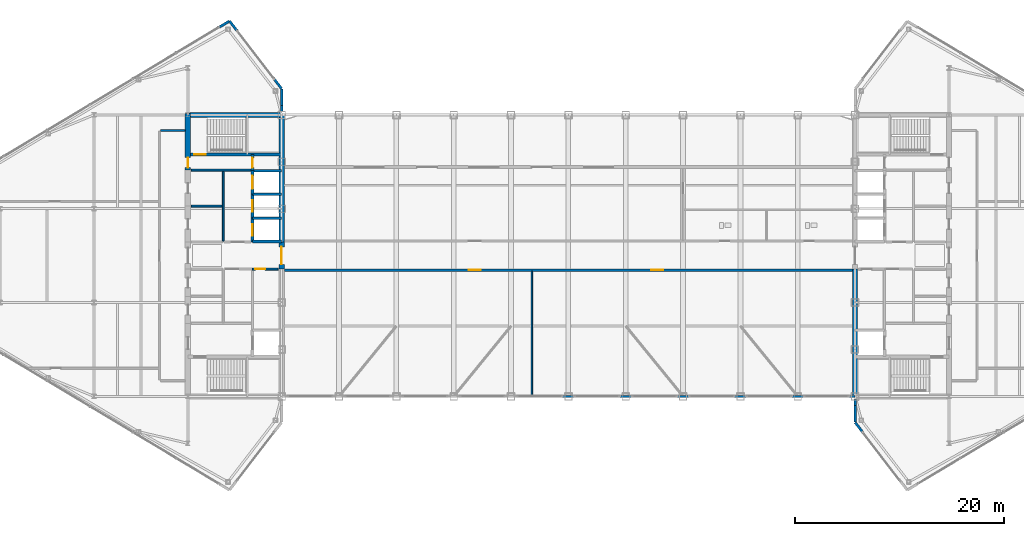
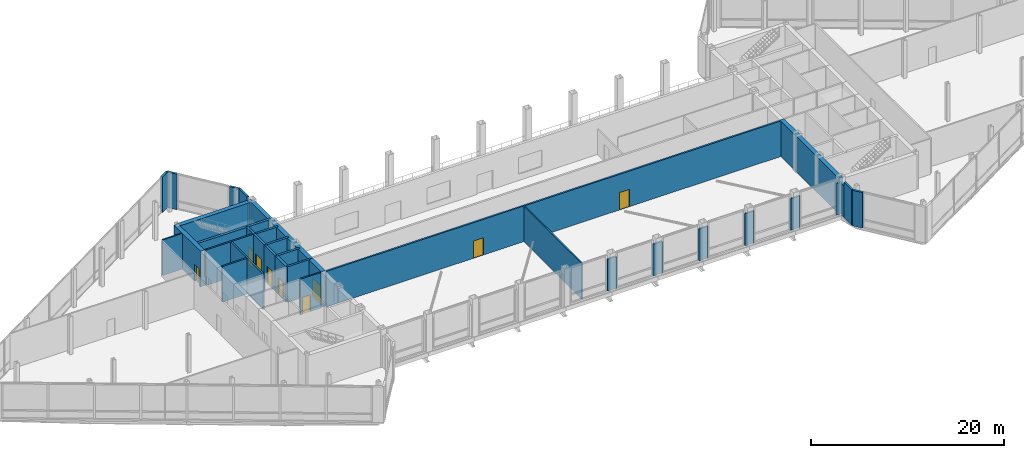
# One storey, part 22 of 28: 35 walls, 10 doors, 10 openings.
"""IFC4 building model written with IfcOpenShell, lengths in metres."""

from ifc_helpers import new_model, si_unit, direction, frame, frame_2d, origin, place, context, subcontext, project, spatial, rectangle, extrude, source, transform, mapped, material, layer, layer_set, type_object, type_shapes, element, fill, save


model = new_model("IFC4")

# Units and contexts
model_context = context("Model", 3, precision=1e-05, world=origin(), true_north=direction((0.0, 1.0)))
body_context = subcontext(model_context, "Body", "Model", "MODEL_VIEW")
ifc_project = project(units=[si_unit("LENGTHUNIT", "METRE"), si_unit("AREAUNIT", "SQUARE_METRE"), si_unit("VOLUMEUNIT", "CUBIC_METRE"), si_unit("PLANEANGLEUNIT", "RADIAN"), si_unit("MASSUNIT", "GRAM", prefix="KILO")], contexts=[model_context])

# Site, building, storey
site_placement = place(None, origin())
site = spatial("IfcSite", under=ifc_project, at=site_placement, CompositionType="ELEMENT")
building_placement = place(site_placement, origin())
building = spatial("IfcBuilding", under=site, at=building_placement, Name="Seokmaru Belvedere", CompositionType="ELEMENT")
storey_placement = place(building_placement, frame((0.0, 0.0, 274.199951171875)))
storey = spatial("IfcBuildingStorey", under=building, at=storey_placement, Name="L72", CompositionType="ELEMENT", Elevation=274.199951171875)

# Walls
ifc_material_1 = material(Name="Fire-Rated Gypsum Shaftwall")
ifc_layer_1 = layer(ifc_material_1, 0.14990234375)
ifc_layer_set_1 = layer_set([ifc_layer_1], Name="Fire-Rated Gypsum Shaftwall")
wall_type_1 = type_object("IfcWallType", Name="Apartment Fire-Acoustic Room Partition 150", PredefinedType="PARTITIONING", material=ifc_layer_set_1)
wall_1_placement = place(storey_placement, frame((-39.114990234375, 12.0, 0.0), z_axis=(0.0, 0.0, 1.0), x_axis=(1.0, 0.0, 0.0)))
element("IfcWall", 1, at=wall_1_placement, inside=storey, type_object=wall_type_1, Name="L72 Interior Partition 010", PredefinedType="PARTITIONING", context=body_context, shape_type="SweptSolid", body=[
    extrude(rectangle(XDim=2.360107421875, YDim=0.14990234375, at=frame_2d((1.18017578125, 0.0))), origin(), (0.0, 0.0, 1.0), 4.52001953125),
])
wall_2_placement = place(storey_placement, frame((-3.5, -13.5, 0.0), z_axis=(0.0, 0.0, 1.0), x_axis=(0.0, 1.0, 0.0)))
element("IfcWall", 2, at=wall_2_placement, inside=storey, type_object=wall_type_1, Name="L72 Interior Partition 013", PredefinedType="PARTITIONING", context=body_context, shape_type="SweptSolid", body=[
    extrude(rectangle(XDim=12.014892578125, YDim=0.14990234375, at=frame_2d((6.00732421875, 0.0))), origin(), (0.0, 0.0, 1.0), 4.52001953125),
])
ifc_material_2 = material(Name="Anodised Bronze Aluminium", Category="aluminium")
ifc_layer_2 = layer(ifc_material_2, 0.2099609375)
ifc_layer_set_2 = layer_set([ifc_layer_2], Name="Anodised Bronze Aluminium")
wall_type_2 = type_object("IfcWallType", Name="Bridge Column Spandrel Closure Pier 210", PredefinedType="SOLIDWALL", material=ifc_layer_set_2)
for number, where, z_axis, x_axis, name in (
    (3, (-0.550048828125, -13.5, 0.0), (0.0, 0.0, 1.0), (1.0, 0.0, 0.0), "L72 Bridge South Column Closure Pier 06"),
    (4, (4.949951171875, -13.5, 0.0), (0.0, 0.0, 1.0), (1.0, 0.0, 0.0), "L72 Bridge South Column Closure Pier 07"),
    (5, (10.449951171875, -13.5, 0.0), (0.0, 0.0, 1.0), (1.0, 0.0, 0.0), "L72 Bridge South Column Closure Pier 08"),
    (6, (15.949951171875, -13.5, 0.0), (0.0, 0.0, 1.0), (1.0, 0.0, 0.0), "L72 Bridge South Column Closure Pier 09"),
    (7, (21.449951171875, -13.5, 0.0), (0.0, 0.0, 1.0), (1.0, 0.0, 0.0), "L72 Bridge South Column Closure Pier 10"),
):
    element("IfcWall", number, at=place(storey_placement, frame(where, z_axis=z_axis, x_axis=x_axis)), inside=storey, type_object=wall_type_2, Name=name, PredefinedType="SOLIDWALL", context=body_context, shape_type="SweptSolid", body=[
        extrude(rectangle(XDim=1.10009765625, YDim=0.2099609375, at=frame_2d((0.550048828125, 0.0))), origin(), (0.0, 0.0, 1.0), 4.02001953125),
    ])
wall_3_placement = place(storey_placement, frame((26.949951171875, -13.5, 0.0), z_axis=(0.0, 0.0, 1.0), x_axis=(1.0, 0.0, 0.0)))
element("IfcWall", 8, at=wall_3_placement, inside=storey, type_object=wall_type_2, Name="L72 Bridge South Column Closure Pier 11", PredefinedType="SOLIDWALL", context=body_context, shape_type="SweptSolid", body=[
    extrude(rectangle(XDim=0.5400390625, YDim=0.2099609375, at=frame_2d((0.27001953125, 0.0))), origin(), (0.0, 0.0, 1.0), 4.02001953125),
])
ifc_layer_3 = layer(ifc_material_1, 0.179931640625)
ifc_layer_set_3 = layer_set([ifc_layer_3], Name="Fire-Rated Gypsum Shaftwall")
wall_type_3 = type_object("IfcWallType", Name="Core Service Fire Partition 180", PredefinedType="PARTITIONING", material=ifc_layer_set_3)
wall_4_placement = place(storey_placement, frame((-36.14990234375, 8.199951171875, 0.0), z_axis=(0.0, 0.0, 1.0), x_axis=(1.0, 0.0, 0.0)))
element("IfcWall", 9, at=wall_4_placement, inside=storey, type_object=wall_type_3, Name="L72 West Smokeproof Vestibule Partition", PredefinedType="PARTITIONING", context=body_context, shape_type="SweptSolid", body=[
    extrude(rectangle(XDim=5.699951171875, YDim=0.179931640625, at=frame_2d((2.85009765625, 0.0))), origin(), (0.0, 0.0, 1.0), 4.52001953125),
])
wall_5_placement = place(storey_placement, frame((-33.10009765625, 1.3798828125, 0.0), z_axis=(0.0, 0.0, 1.0), x_axis=(0.0, 1.0, 0.0)))
element("IfcWall", 10, at=wall_5_placement, inside=storey, type_object=wall_type_3, Name="L72 West North Core Service Back Wall", PredefinedType="PARTITIONING", context=body_context, shape_type="SweptSolid", body=[
    extrude(rectangle(XDim=6.740234375, YDim=0.179931640625, at=frame_2d((3.3701171875, 0.0))), origin(), (0.0, 0.0, 1.0), 4.52001953125),
])

# Wall, opening, door
wall_6_placement = place(storey_placement, frame((-30.300048828125, -1.300048828125, 0.0), z_axis=(0.0, 0.0, 1.0), x_axis=(1.0, 0.0, 0.0)))
wall_6 = element("IfcWall", 11, at=wall_6_placement, inside=storey, type_object=wall_type_3, Name="L72 West South Parcel Vault Foyer Wall", PredefinedType="PARTITIONING", context=body_context, shape_type="SweptSolid", body=[
    extrude(rectangle(XDim=2.449951171875, YDim=0.179931640625, at=frame_2d((1.22509765625, 0.0))), origin(), (0.0, 0.0, 1.0), 4.52001953125),
])
opening_1_placement = place(wall_6_placement, frame((0.27490234375, 0.0, 0.0)))
opening_1 = element("IfcOpeningElement", 12, at=opening_1_placement, cuts=wall_6, Name="Opening D04", PredefinedType="OPENING", context=body_context, shape_type="SweptSolid", body=[
    extrude(rectangle(XDim=0.949951171875, YDim=2.14990234375, at=frame_2d((0.47509765625, 1.074951171875))), frame((0.0, 0.10009765625, 0.0), z_axis=(0.0, -1.0, 0.0), x_axis=(1.0, 0.0, 0.0)), (0.0, 0.0, 1.0), 0.199951171875),
])
ifc_material_3 = material(Name="Fire-Rated Steel Leaf", Category="steel")
door_type_1 = type_object("IfcDoorType", Name="Core Service Room Fire Door 950x2150", OperationType="NOTDEFINED", PredefinedType="DOOR", material=ifc_material_3)
shared_shape_1 = source(origin(), body_context, "Body", "SweptSolid", [
    extrude(rectangle(XDim=0.949951171875, YDim=2.14990234375, at=frame_2d((0.47509765625, 1.074951171875))), frame((0.0, 0.02490234375, 0.0), z_axis=(0.0, -1.0, 0.0), x_axis=(1.0, 0.0, 0.0)), (0.0, 0.0, 1.0), 0.050048828125),
])
type_shapes(door_type_1, [shared_shape_1])
door_1_placement = place(opening_1_placement, origin())
door_1 = element("IfcDoor", 13, at=door_1_placement, inside=storey, type_object=door_type_1, Name="L72 West South Parcel Vault Door", OperationType="SINGLE_SWING_LEFT", OverallHeight=2.14990234375, OverallWidth=0.949951171875, PredefinedType="DOOR", context=body_context, shape_type="MappedRepresentation", body=[
    mapped(shared_shape_1, transform((0.0, 0.0, 0.0), scale=1.0)),
])
fill(opening_1, door_1)

# Walls
wall_7_placement = place(storey_placement, frame((-36.14990234375, 4.75, 0.0), z_axis=(0.0, 0.0, 1.0), x_axis=(1.0, 0.0, 0.0)))
element("IfcWall", 14, at=wall_7_placement, inside=storey, type_object=wall_type_3, Name="L72 West Core Service Partition 2", PredefinedType="PARTITIONING", context=body_context, shape_type="SweptSolid", body=[
    extrude(rectangle(XDim=2.949951171875, YDim=0.179931640625, at=frame_2d((1.47509765625, 0.0))), origin(), (0.0, 0.0, 1.0), 4.52001953125),
])
ifc_material_4 = material(Name="Concrete C50 (50 MPa)", Category="concrete")
ifc_layer_4 = layer(ifc_material_4, 0.25)
ifc_layer_set_4 = layer_set([ifc_layer_4], Name="Concrete C50 (50 MPa)")
wall_type_4 = type_object("IfcWallType", Name="Hoistway Transverse Concrete Divider Wall 250", PredefinedType="SHEAR", material=ifc_layer_set_4)
for number, where, z_axis, x_axis, name in (
    (15, (-30.300048828125, 1.35009765625, 0.0), (0.0, 0.0, 1.0), (1.0, 0.0, 0.0), "L72 West Hoistway Divider Core Wall 2"),
    (16, (-30.300048828125, 3.60009765625, 0.0), (0.0, 0.0, 1.0), (1.0, 0.0, 0.0), "L72 West Hoistway Divider Core Wall 3"),
    (17, (-30.300048828125, 5.89990234375, 0.0), (0.0, 0.0, 1.0), (1.0, 0.0, 0.0), "L72 West Hoistway Divider Core Wall 4"),
    (18, (-30.300048828125, 8.14990234375, 0.0), (0.0, 0.0, 1.0), (1.0, 0.0, 0.0), "L72 West Hoistway Divider Core Wall 5"),
):
    element("IfcWall", number, at=place(storey_placement, frame(where, z_axis=z_axis, x_axis=x_axis)), inside=storey, type_object=wall_type_4, Name=name, PredefinedType="SHEAR", context=body_context, shape_type="SweptSolid", body=[
        extrude(rectangle(XDim=2.800048828125, YDim=0.25, at=frame_2d((1.39990234375, 0.0))), origin(), (0.0, 0.0, 1.0), 4.52001953125),
    ])

# Wall, openings, doors
ifc_layer_5 = layer(ifc_material_1, 0.199951171875)
ifc_layer_set_5 = layer_set([ifc_layer_5], Name="Fire-Rated Gypsum Shaftwall")
wall_type_5 = type_object("IfcWallType", Name="Inter-Tenancy Fire Compartment Partition 200", PredefinedType="PARTITIONING", material=ifc_layer_set_5)
wall_8_placement = place(storey_placement, frame((-27.2451171875, -1.39990234375, 0.0), z_axis=(0.0, 0.0, 1.0), x_axis=(1.0, 0.0, 0.0)))
wall_8 = element("IfcWall", 19, at=wall_8_placement, inside=storey, type_object=wall_type_5, Name="L72 Interior Partition 005", PredefinedType="PARTITIONING", context=body_context, shape_type="SweptSolid", body=[
    extrude(rectangle(XDim=54.490234375, YDim=0.199951171875, at=frame_2d((27.2451171875, 0.0))), origin(), (0.0, 0.0, 1.0), 4.52001953125),
])
opening_2_placement = place(wall_8_placement, frame((17.669921875, 0.0, 0.0)))
opening_2 = element("IfcOpeningElement", 20, at=opening_2_placement, cuts=wall_8, Name="Opening D02", PredefinedType="OPENING", context=body_context, shape_type="SweptSolid", body=[
    extrude(rectangle(XDim=1.14990234375, YDim=2.199951171875, at=frame_2d((0.574951171875, 1.10009765625))), frame((0.0, 0.10986328125, 0.0), z_axis=(0.0, -1.0, 0.0), x_axis=(1.0, 0.0, 0.0)), (0.0, 0.0, 1.0), 0.219970703125),
])
opening_3_placement = place(wall_8_placement, frame((35.169921875, 0.0, 0.0)))
opening_3 = element("IfcOpeningElement", 21, at=opening_3_placement, cuts=wall_8, Name="Opening D02", PredefinedType="OPENING", context=body_context, shape_type="SweptSolid", body=[
    extrude(rectangle(XDim=1.14990234375, YDim=2.199951171875, at=frame_2d((0.574951171875, 1.10009765625))), frame((0.0, 0.10986328125, 0.0), z_axis=(0.0, -1.0, 0.0), x_axis=(1.0, 0.0, 0.0)), (0.0, 0.0, 1.0), 0.219970703125),
])
door_type_2 = type_object("IfcDoorType", Name="Lobby and Vestibule Fire Door 1150x2200", OperationType="NOTDEFINED", PredefinedType="DOOR", material=ifc_material_3)
shared_shape_2 = source(origin(), body_context, "Body", "SweptSolid", [
    extrude(rectangle(XDim=1.14990234375, YDim=2.199951171875, at=frame_2d((0.574951171875, 1.10009765625))), frame((0.0, 0.02490234375, 0.0), z_axis=(0.0, -1.0, 0.0), x_axis=(1.0, 0.0, 0.0)), (0.0, 0.0, 1.0), 0.050048828125),
])
type_shapes(door_type_2, [shared_shape_2])
door_2_placement = place(opening_2_placement, origin())
door_2 = element("IfcDoor", 22, at=door_2_placement, inside=storey, type_object=door_type_2, Name="L72 Interior Door 007", OperationType="SINGLE_SWING_LEFT", OverallHeight=2.199951171875, OverallWidth=1.14990234375, PredefinedType="DOOR", context=body_context, shape_type="MappedRepresentation", body=[
    mapped(shared_shape_2, transform((0.0, 0.0, 0.0), scale=1.0)),
])
fill(opening_2, door_2)
door_3_placement = place(opening_3_placement, origin())
door_3 = element("IfcDoor", 23, at=door_3_placement, inside=storey, type_object=door_type_2, Name="L72 Interior Door 008", OperationType="SINGLE_SWING_RIGHT", OverallHeight=2.199951171875, OverallWidth=1.14990234375, PredefinedType="DOOR", context=body_context, shape_type="MappedRepresentation", body=[
    mapped(shared_shape_2, transform((0.0, 0.0, 0.0), scale=1.0)),
])
fill(opening_3, door_3)

# Wall, opening, door
ifc_layer_6 = layer(ifc_material_4, 0.300048828125)
ifc_layer_set_6 = layer_set([ifc_layer_6], Name="Concrete C50 (50 MPa)")
wall_type_6 = type_object("IfcWallType", Name="Internal Core Stair and Hoistway Wall 300", PredefinedType="SHEAR", material=ifc_layer_set_6)
wall_9_placement = place(storey_placement, frame((-36.5, 9.699951171875, 0.0), z_axis=(0.0, 0.0, 1.0), x_axis=(1.0, 0.0, 0.0)))
wall_9 = element("IfcWall", 24, at=wall_9_placement, inside=storey, type_object=wall_type_6, Name="L72 West Stair ST-2 Enclosure Wall", PredefinedType="SHEAR", context=body_context, shape_type="SweptSolid", body=[
    extrude(rectangle(XDim=9.0, YDim=0.300048828125, at=frame_2d((4.5, 0.0))), origin(), (0.0, 0.0, 1.0), 4.52001953125),
])
opening_4_placement = place(wall_9_placement, frame((0.60009765625, 0.0, 0.0)))
opening_4 = element("IfcOpeningElement", 25, at=opening_4_placement, cuts=wall_9, Name="Opening D01", PredefinedType="OPENING", context=body_context, shape_type="SweptSolid", body=[
    extrude(rectangle(XDim=1.10009765625, YDim=2.199951171875, at=frame_2d((0.550048828125, 1.10009765625))), frame((0.0, 0.16015625, 0.0), z_axis=(0.0, -1.0, 0.0), x_axis=(1.0, 0.0, 0.0)), (0.0, 0.0, 1.0), 0.320068359375),
])
door_type_3 = type_object("IfcDoorType", Name="Special Escape Stair Smokeproof Fire Door 1100x2200", OperationType="NOTDEFINED", PredefinedType="DOOR", material=ifc_material_3)
shared_shape_3 = source(origin(), body_context, "Body", "SweptSolid", [
    extrude(rectangle(XDim=1.10009765625, YDim=2.199951171875, at=frame_2d((0.550048828125, 1.10009765625))), frame((0.0, 0.02490234375, 0.0), z_axis=(0.0, -1.0, 0.0), x_axis=(1.0, 0.0, 0.0)), (0.0, 0.0, 1.0), 0.050048828125),
])
type_shapes(door_type_3, [shared_shape_3])
door_4_placement = place(opening_4_placement, origin())
door_4 = element("IfcDoor", 26, at=door_4_placement, inside=storey, type_object=door_type_3, Name="L72 West Special Escape Stair ST-2 Door", OperationType="SINGLE_SWING_RIGHT", OverallHeight=2.199951171875, OverallWidth=1.10009765625, PredefinedType="DOOR", context=body_context, shape_type="MappedRepresentation", body=[
    mapped(shared_shape_3, transform((0.0, 0.0, 0.0), scale=1.0)),
])
fill(opening_4, door_4)

wall_10_placement = place(storey_placement, frame((-30.300048828125, 1.320068359375, 0.0), z_axis=(0.0, 0.0, 1.0), x_axis=(0.0, 1.0, 0.0)))
wall_10 = element("IfcWall", 27, at=wall_10_placement, inside=storey, type_object=wall_type_6, Name="L72 West North Hoistway Wall PH1", PredefinedType="SHEAR", context=body_context, shape_type="SweptSolid", body=[
    extrude(rectangle(XDim=2.280029296875, YDim=0.300048828125, at=frame_2d((1.14013671875, 0.0))), origin(), (0.0, 0.0, 1.0), 4.52001953125),
])
opening_5_placement = place(wall_10_placement, frame((0.590087890625, 0.0, 0.0)))
opening_5 = element("IfcOpeningElement", 28, at=opening_5_placement, cuts=wall_10, Name="Opening LD1", PredefinedType="OPENING", context=body_context, shape_type="SweptSolid", body=[
    extrude(rectangle(XDim=1.10009765625, YDim=2.199951171875, at=frame_2d((0.550048828125, 1.10009765625))), frame((0.0, 0.16015625, 0.0), z_axis=(0.0, -1.0, 0.0), x_axis=(1.0, 0.0, 0.0)), (0.0, 0.0, 1.0), 0.320068359375),
])
ifc_material_5 = material(Name="Stainless Steel 316", Category="steel")
door_type_4 = type_object("IfcDoorType", Name="Passenger Lift Sliding Landing Door 1100x2200", OperationType="DOUBLE_DOOR_SLIDING", PredefinedType="DOOR", material=ifc_material_5)
shared_shape_4 = source(origin(), body_context, "Body", "SweptSolid", [
    extrude(rectangle(XDim=1.10009765625, YDim=2.199951171875, at=frame_2d((0.550048828125, 1.10009765625))), frame((0.0, 0.02490234375, 0.0), z_axis=(0.0, -1.0, 0.0), x_axis=(1.0, 0.0, 0.0)), (0.0, 0.0, 1.0), 0.050048828125),
])
type_shapes(door_type_4, [shared_shape_4])
door_5_placement = place(opening_5_placement, origin())
door_5 = element("IfcDoor", 29, at=door_5_placement, inside=storey, type_object=door_type_4, Name="L72 West High-Rise Lift PH-1 Landing Door", OperationType="DOUBLE_DOOR_SLIDING", OverallHeight=2.199951171875, OverallWidth=1.10009765625, PredefinedType="DOOR", context=body_context, shape_type="MappedRepresentation", body=[
    mapped(shared_shape_4, transform((0.0, 0.0, 0.0), scale=1.0)),
])
fill(opening_5, door_5)

wall_11_placement = place(storey_placement, frame((-30.300048828125, 3.60009765625, 0.0), z_axis=(0.0, 0.0, 1.0), x_axis=(0.0, 1.0, 0.0)))
wall_11 = element("IfcWall", 30, at=wall_11_placement, inside=storey, type_object=wall_type_6, Name="L72 West North Hoistway Wall PH2", PredefinedType="SHEAR", context=body_context, shape_type="SweptSolid", body=[
    extrude(rectangle(XDim=2.2998046875, YDim=0.300048828125, at=frame_2d((1.14990234375, 0.0))), origin(), (0.0, 0.0, 1.0), 4.52001953125),
])
opening_6_placement = place(wall_11_placement, frame((0.60009765625, 0.0, 0.0)))
opening_6 = element("IfcOpeningElement", 31, at=opening_6_placement, cuts=wall_11, Name="Opening LD1", PredefinedType="OPENING", context=body_context, shape_type="SweptSolid", body=[
    extrude(rectangle(XDim=1.10009765625, YDim=2.199951171875, at=frame_2d((0.550048828125, 1.10009765625))), frame((0.0, 0.16015625, 0.0), z_axis=(0.0, -1.0, 0.0), x_axis=(1.0, 0.0, 0.0)), (0.0, 0.0, 1.0), 0.320068359375),
])
door_6_placement = place(opening_6_placement, origin())
door_6 = element("IfcDoor", 32, at=door_6_placement, inside=storey, type_object=door_type_4, Name="L72 West High-Rise Lift PH-2 Landing Door", OperationType="DOUBLE_DOOR_SLIDING", OverallHeight=2.199951171875, OverallWidth=1.10009765625, PredefinedType="DOOR", context=body_context, shape_type="MappedRepresentation", body=[
    mapped(shared_shape_4, transform((0.0, 0.0, 0.0), scale=1.0)),
])
fill(opening_6, door_6)

wall_12_placement = place(storey_placement, frame((-30.300048828125, 5.89990234375, 0.0), z_axis=(0.0, 0.0, 1.0), x_axis=(0.0, 1.0, 0.0)))
wall_12 = element("IfcWall", 33, at=wall_12_placement, inside=storey, type_object=wall_type_6, Name="L72 West North Hoistway Wall OBS", PredefinedType="SHEAR", context=body_context, shape_type="SweptSolid", body=[
    extrude(rectangle(XDim=2.25, YDim=0.300048828125, at=frame_2d((1.125, 0.0))), origin(), (0.0, 0.0, 1.0), 4.52001953125),
])
opening_7_placement = place(wall_12_placement, frame((0.4951171875, 0.0, 0.0)))
opening_7 = element("IfcOpeningElement", 34, at=opening_7_placement, cuts=wall_12, Name="Opening LD3", PredefinedType="OPENING", context=body_context, shape_type="SweptSolid", body=[
    extrude(rectangle(XDim=1.25, YDim=2.300048828125, at=frame_2d((0.625, 1.14990234375))), frame((0.0, 0.16015625, 0.0), z_axis=(0.0, -1.0, 0.0), x_axis=(1.0, 0.0, 0.0)), (0.0, 0.0, 1.0), 0.320068359375),
])
door_type_5 = type_object("IfcDoorType", Name="Observatory Shuttle Sliding Landing Door 1250x2300", OperationType="DOUBLE_DOOR_SLIDING", PredefinedType="DOOR", material=ifc_material_5)
shared_shape_5 = source(origin(), body_context, "Body", "SweptSolid", [
    extrude(rectangle(XDim=1.25, YDim=2.300048828125, at=frame_2d((0.625, 1.14990234375))), frame((0.0, 0.02490234375, 0.0), z_axis=(0.0, -1.0, 0.0), x_axis=(1.0, 0.0, 0.0)), (0.0, 0.0, 1.0), 0.050048828125),
])
type_shapes(door_type_5, [shared_shape_5])
door_7_placement = place(opening_7_placement, origin())
door_7 = element("IfcDoor", 35, at=door_7_placement, inside=storey, type_object=door_type_5, Name="L72 West Express Observatory Lift Landing Door", OperationType="DOUBLE_DOOR_SLIDING", OverallHeight=2.300048828125, OverallWidth=1.25, PredefinedType="DOOR", context=body_context, shape_type="MappedRepresentation", body=[
    mapped(shared_shape_5, transform((0.0, 0.0, 0.0), scale=1.0)),
])
fill(opening_7, door_7)

wall_13_placement = place(storey_placement, frame((-30.300048828125, 8.14990234375, 0.0), z_axis=(0.0, 0.0, 1.0), x_axis=(0.0, 1.0, 0.0)))
wall_13 = element("IfcWall", 36, at=wall_13_placement, inside=storey, type_object=wall_type_6, Name="L72 West Electrical Riser Front Wall", PredefinedType="SHEAR", context=body_context, shape_type="SweptSolid", body=[
    extrude(rectangle(XDim=1.530029296875, YDim=0.300048828125, at=frame_2d((0.76513671875, 0.0))), origin(), (0.0, 0.0, 1.0), 4.52001953125),
])
opening_8_placement = place(wall_13_placement, frame((0.284912109375, 0.0, 0.0)))
opening_8 = element("IfcOpeningElement", 37, at=opening_8_placement, cuts=wall_13, Name="Opening D04", PredefinedType="OPENING", context=body_context, shape_type="SweptSolid", body=[
    extrude(rectangle(XDim=0.949951171875, YDim=2.14990234375, at=frame_2d((0.47509765625, 1.074951171875))), frame((0.0, 0.16015625, 0.0), z_axis=(0.0, -1.0, 0.0), x_axis=(1.0, 0.0, 0.0)), (0.0, 0.0, 1.0), 0.320068359375),
])
door_8_placement = place(opening_8_placement, origin())
door_8 = element("IfcDoor", 38, at=door_8_placement, inside=storey, type_object=door_type_1, Name="L72 West Electrical Riser Access Door", OperationType="SINGLE_SWING_LEFT", OverallHeight=2.14990234375, OverallWidth=0.949951171875, PredefinedType="DOOR", context=body_context, shape_type="MappedRepresentation", body=[
    mapped(shared_shape_1, transform((0.0, 0.0, 0.0), scale=1.0)),
])
fill(opening_8, door_8)

# Walls
ifc_layer_7 = layer(ifc_material_2, 0.239990234375)
ifc_layer_set_7 = layer_set([ifc_layer_7], Name="Anodised Bronze Aluminium")
wall_type_7 = type_object("IfcWallType", Name="Tower Corner Spandrel Closure Wall 240", PredefinedType="SOLIDWALL", material=ifc_layer_set_7)
wall_14_placement = place(storey_placement, frame((-27.5, 13.7548828125, 0.0), z_axis=(0.0, 0.0, 1.0), x_axis=(0.0, 1.0, 0.0)))
element("IfcWall", 39, at=wall_14_placement, inside=storey, type_object=wall_type_7, Name="L72 W Shoulder Closure Wall 2", PredefinedType="SOLIDWALL", context=body_context, shape_type="SweptSolid", body=[
    extrude(rectangle(XDim=0.619873046875, YDim=0.239990234375, at=frame_2d((0.31005859375, 0.0))), origin(), (0.0, 0.0, 1.0), 4.02001953125),
])
wall_15_placement = place(storey_placement, frame((-27.5, 14.374755859375, 0.0), z_axis=(0.0, 0.0, 1.0), x_axis=(0.0, 1.0, 0.0)))
element("IfcWall", 40, at=wall_15_placement, inside=storey, type_object=wall_type_7, Name="L72 W Shoulder Closure Wall 2 Part 2", PredefinedType="SOLIDWALL", context=body_context, shape_type="SweptSolid", body=[
    extrude(rectangle(XDim=1.605224609375, YDim=0.239990234375, at=frame_2d((0.802734375, 0.0))), origin(), (0.0, 0.0, 1.0), 4.52001953125),
])
for number, where, z_axis, x_axis, name in (
    (41, (-27.506103515625, 16.0078125, 0.0), (0.0, 0.0, 1.0), (-0.609617623633, 0.792695624408, 0.0), "L72 W Corner Closure Pier 2A"),
    (42, (-31.798828125, 21.58837890625, 0.0), (0.0, 0.0, 1.0), (-0.609617623633, 0.792695624408, 0.0), "L72 W Corner Closure Pier 2B"),
    (43, (-32.508544921875, 22.494873046875, 0.0), (0.0, 0.0, 1.0), (-0.85743623509, -0.514590228002, 0.0), "L72 W Corner Closure Pier 3A"),
):
    element("IfcWall", number, at=place(storey_placement, frame(where, z_axis=z_axis, x_axis=x_axis)), inside=storey, type_object=wall_type_7, Name=name, PredefinedType="SOLIDWALL", context=body_context, shape_type="SweptSolid", body=[
        extrude(rectangle(XDim=1.14013671875, YDim=0.239990234375, at=frame_2d((0.570068359375, 0.0))), origin(), (0.0, 0.0, 1.0), 4.52001953125),
    ])
wall_16_placement = place(storey_placement, frame((27.5, -15.97998046875, 0.0), z_axis=(0.0, 0.0, 1.0), x_axis=(0.0, 1.0, 0.0)))
element("IfcWall", 44, at=wall_16_placement, inside=storey, type_object=wall_type_7, Name="L72 E Shoulder Closure Wall 1", PredefinedType="SOLIDWALL", context=body_context, shape_type="SweptSolid", body=[
    extrude(rectangle(XDim=1.605224609375, YDim=0.239990234375, at=frame_2d((0.802734375, 0.0))), origin(), (0.0, 0.0, 1.0), 4.52001953125),
])
wall_17_placement = place(storey_placement, frame((27.5, -14.374755859375, 0.0), z_axis=(0.0, 0.0, 1.0), x_axis=(0.0, 1.0, 0.0)))
element("IfcWall", 45, at=wall_17_placement, inside=storey, type_object=wall_type_7, Name="L72 E Shoulder Closure Wall 1 Part 2", PredefinedType="SOLIDWALL", context=body_context, shape_type="SweptSolid", body=[
    extrude(rectangle(XDim=0.619873046875, YDim=0.239990234375, at=frame_2d((0.31005859375, 0.0))), origin(), (0.0, 0.0, 1.0), 4.02001953125),
])
wall_18_placement = place(storey_placement, frame((27.506103515625, -16.0078125, 0.0), z_axis=(0.0, 0.0, 1.0), x_axis=(0.609617623633, -0.792695624408, 0.0)))
element("IfcWall", 46, at=wall_18_placement, inside=storey, type_object=wall_type_7, Name="L72 E Corner Closure Pier 6A", PredefinedType="SOLIDWALL", context=body_context, shape_type="SweptSolid", body=[
    extrude(rectangle(XDim=1.14013671875, YDim=0.239990234375, at=frame_2d((0.570068359375, 0.0))), origin(), (0.0, 0.0, 1.0), 4.52001953125),
])
ifc_layer_8 = layer(ifc_material_4, 0.5)
ifc_layer_set_8 = layer_set([ifc_layer_8], Name="Concrete C50 (50 MPa)")
wall_type_8 = type_object("IfcWallType", Name="Upper Tower Reinforced Concrete Core Wall 500", PredefinedType="SHEAR", material=ifc_layer_set_8)
wall_19_placement = place(storey_placement, frame((-27.5, 1.300048828125, 0.0), z_axis=(0.0, 0.0, 1.0), x_axis=(0.0, 1.0, 0.0)))
element("IfcWall", 47, at=wall_19_placement, inside=storey, type_object=wall_type_8, Name="L72 West Portal Spine Core Wall North", PredefinedType="SHEAR", context=body_context, shape_type="SweptSolid", body=[
    extrude(rectangle(XDim=12.199951171875, YDim=0.5, at=frame_2d((6.10009765625, 0.0))), origin(), (0.0, 0.0, 1.0), 4.52001953125),
])

# Wall, opening, door
wall_20_placement = place(storey_placement, frame((-27.5, -1.300048828125, 0.0), z_axis=(0.0, 0.0, 1.0), x_axis=(0.0, 1.0, 0.0)))
wall_20 = element("IfcWall", 48, at=wall_20_placement, inside=storey, type_object=wall_type_8, Name="L72 West Portal Spine Core Wall Center", PredefinedType="SHEAR", context=body_context, shape_type="SweptSolid", body=[
    extrude(rectangle(XDim=2.60009765625, YDim=0.5, at=frame_2d((1.300048828125, 0.0))), origin(), (0.0, 0.0, 1.0), 4.52001953125),
])
opening_9_placement = place(wall_20_placement, frame((0.449951171875, 0.0, 0.0)))
opening_9 = element("IfcOpeningElement", 49, at=opening_9_placement, cuts=wall_20, Name="Opening D09", PredefinedType="OPENING", context=body_context, shape_type="SweptSolid", body=[
    extrude(rectangle(XDim=1.699951171875, YDim=2.35009765625, at=frame_2d((0.85009765625, 1.175048828125))), frame((0.0, 0.260009765625, 0.0), z_axis=(0.0, -1.0, 0.0), x_axis=(1.0, 0.0, 0.0)), (0.0, 0.0, 1.0), 0.52001953125),
])
door_type_6 = type_object("IfcDoorType", Name="Sky-Gate Bridge Inter-Tower Fire Door 1700x2350", OperationType="DOUBLE_SWING_LEFT", PredefinedType="DOOR", material=ifc_material_3)
shared_shape_6 = source(origin(), body_context, "Body", "SweptSolid", [
    extrude(rectangle(XDim=1.699951171875, YDim=2.35009765625, at=frame_2d((0.85009765625, 1.175048828125))), frame((0.0, 0.02490234375, 0.0), z_axis=(0.0, -1.0, 0.0), x_axis=(1.0, 0.0, 0.0)), (0.0, 0.0, 1.0), 0.050048828125),
])
type_shapes(door_type_6, [shared_shape_6])
door_9_placement = place(opening_9_placement, origin())
door_9 = element("IfcDoor", 50, at=door_9_placement, inside=storey, type_object=door_type_6, Name="L72 West Inter-Tower Fire Door", OperationType="DOUBLE_SWING_LEFT", OverallHeight=2.35009765625, OverallWidth=1.699951171875, PredefinedType="DOOR", context=body_context, shape_type="MappedRepresentation", body=[
    mapped(shared_shape_6, transform((0.0, 0.0, 0.0), scale=1.0)),
])
fill(opening_9, door_9)

# Wall
wall_21_placement = place(storey_placement, frame((-36.5, 13.5, 0.0), z_axis=(0.0, 0.0, 1.0), x_axis=(1.0, 0.0, 0.0)))
element("IfcWall", 51, at=wall_21_placement, inside=storey, type_object=wall_type_8, Name="L72 West North Core Wall", PredefinedType="SHEAR", context=body_context, shape_type="SweptSolid", body=[
    extrude(rectangle(XDim=9.0, YDim=0.5, at=frame_2d((4.5, 0.0))), origin(), (0.0, 0.0, 1.0), 4.52001953125),
])

# Wall, opening, door
wall_22_placement = place(storey_placement, frame((-36.5, 8.199951171875, 0.0), z_axis=(0.0, 0.0, 1.0), x_axis=(0.0, 1.0, 0.0)))
wall_22 = element("IfcWall", 52, at=wall_22_placement, inside=storey, type_object=wall_type_8, Name="L72 West West Core Wall VST", PredefinedType="SHEAR", context=body_context, shape_type="SweptSolid", body=[
    extrude(rectangle(XDim=5.449951171875, YDim=0.5, at=frame_2d((2.72509765625, 0.0))), origin(), (0.0, 0.0, 1.0), 4.52001953125),
])
opening_10_placement = place(wall_22_placement, frame((0.2451171875, 0.0, 0.0)))
opening_10 = element("IfcOpeningElement", 53, at=opening_10_placement, cuts=wall_22, Name="Opening D04", PredefinedType="OPENING", context=body_context, shape_type="SweptSolid", body=[
    extrude(rectangle(XDim=0.949951171875, YDim=2.14990234375, at=frame_2d((0.47509765625, 1.074951171875))), frame((0.0, 0.260009765625, 0.0), z_axis=(0.0, -1.0, 0.0), x_axis=(1.0, 0.0, 0.0)), (0.0, 0.0, 1.0), 0.52001953125),
])
door_10_placement = place(opening_10_placement, frame((0.949951171875, 0.0, 0.0), z_axis=(0.0, 0.0, 1.0), x_axis=(-1.0, 0.0, 0.0)))
door_10 = element("IfcDoor", 54, at=door_10_placement, inside=storey, type_object=door_type_1, Name="L72 West Smokeproof Vestibule Door", OperationType="SINGLE_SWING_RIGHT", OverallHeight=2.14990234375, OverallWidth=0.949951171875, PredefinedType="DOOR", context=body_context, shape_type="MappedRepresentation", body=[
    mapped(shared_shape_1, transform((0.0, 0.0, 0.0), scale=1.0)),
])
fill(opening_10, door_10)

# Wall
wall_23_placement = place(storey_placement, frame((27.5, -13.5, 0.0), z_axis=(0.0, 0.0, 1.0), x_axis=(0.0, 1.0, 0.0)))
element("IfcWall", 55, at=wall_23_placement, inside=storey, type_object=wall_type_8, Name="L72 East Portal Spine Core Wall South", PredefinedType="SHEAR", context=body_context, shape_type="SweptSolid", body=[
    extrude(rectangle(XDim=12.199951171875, YDim=0.5, at=frame_2d((6.10009765625, 0.0))), origin(), (0.0, 0.0, 1.0), 4.52001953125),
])

save(model, "model.ifc")
